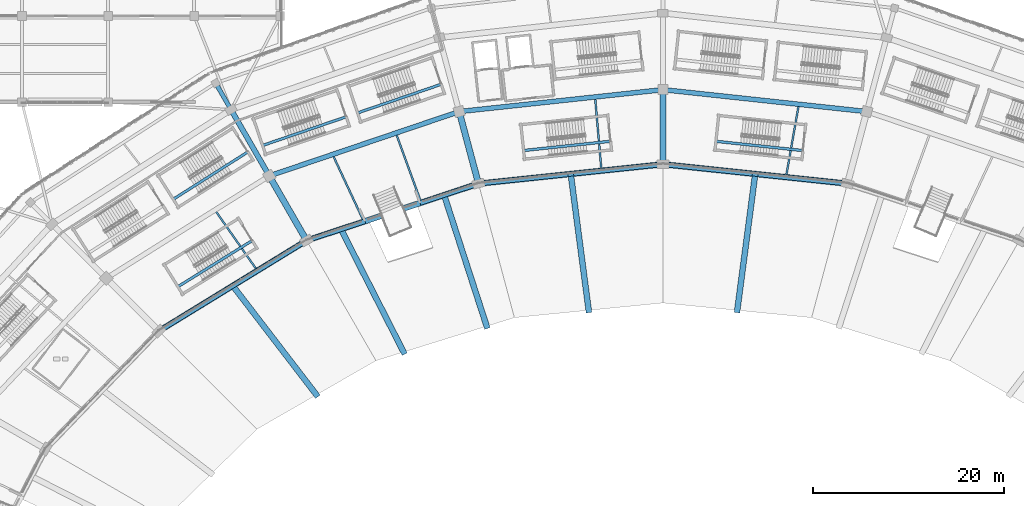
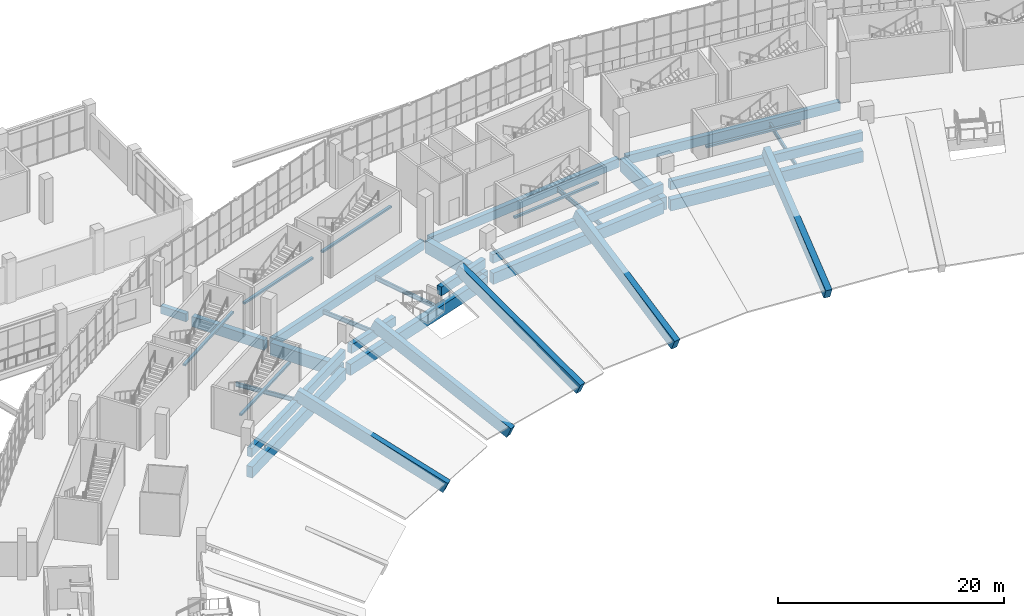
# One storey, part 54 of 183: 33 beams.
"""IFC4 building model written with IfcOpenShell, lengths in metres."""

from ifc_helpers import new_model, si_unit, direction, frame, origin, origin_2d, place, context, subcontext, project, spatial, rectangle, i_section, extrude, material, material_profile, profile_set, type_object, element, save


model = new_model("IFC4")

# Units and contexts
model_context = context("Model", 3, precision=1e-05, world=origin(), true_north=direction((0.0, 1.0)))
body_context = subcontext(model_context, "Body", "Model", "MODEL_VIEW")
ifc_project = project(units=[si_unit("LENGTHUNIT", "METRE"), si_unit("AREAUNIT", "SQUARE_METRE"), si_unit("VOLUMEUNIT", "CUBIC_METRE"), si_unit("PLANEANGLEUNIT", "RADIAN"), si_unit("MASSUNIT", "GRAM", prefix="KILO")], contexts=[model_context])

# Site, building, storey
site_placement = place(None, origin())
site = spatial("IfcSite", under=ifc_project, at=site_placement, CompositionType="ELEMENT")
building_placement = place(site_placement, origin())
building = spatial("IfcBuilding", under=site, at=building_placement, Name="Zevraka Park Crest Stadium", CompositionType="ELEMENT")
storey_placement = place(building_placement, frame((0.0, 0.0, 5.39990234375)))
storey = spatial("IfcBuildingStorey", under=building, at=storey_placement, Name="L01", CompositionType="ELEMENT", Elevation=5.39990234375)

# Beams
ifc_material_1 = material(Name="Concrete C40/50", Category="concrete")
ifc_material_profile_1 = material_profile(ifc_material_1, rectangle(XDim=0.64990234375, YDim=1.35009765625, at=origin_2d()), Name="RC 1350x650")
ifc_profile_set_1 = profile_set([ifc_material_profile_1], Name="Concrete C40/50")
beam_type_1 = type_object("IfcBeamType", Name="BG01", PredefinedType="BEAM", material=ifc_profile_set_1)
beam_1_placement = place(storey_placement, frame((112.0, 151.800048828125, -0.684814453125), z_axis=(0.0, 1.0, 0.0), x_axis=(-1.0, 0.0, 0.0)))
element("IfcBeam", 1, at=beam_1_placement, inside=storey, type_object=beam_type_1, Name="Radial Girder BG01 L01-BC-06", PredefinedType="BEAM", context=body_context, shape_type="SweptSolid", body=[
    extrude(rectangle(XDim=0.64990234375, YDim=1.35009765625, at=origin_2d()), origin(), (0.0, 0.0, 1.0), 7.199951171875),
])
beam_2_placement = place(storey_placement, frame((92.639892578125, 149.762939453125, -0.684814453125), z_axis=(-0.258747385792, 0.965945024495, 0.0), x_axis=(-0.965945024495, -0.258747385792, 0.0)))
element("IfcBeam", 2, at=beam_2_placement, inside=storey, type_object=beam_type_1, Name="Radial Girder BG01 L01-BC-07", PredefinedType="BEAM", context=body_context, shape_type="SweptSolid", body=[
    extrude(rectangle(XDim=0.64990234375, YDim=1.35009765625, at=origin_2d()), origin(), (0.0, 0.0, 1.0), 7.19921875),
])
beam_3_placement = place(storey_placement, frame((74.60009765625, 143.7890625, -0.684814453125), z_axis=(-0.500041424909, 0.866001485781, 0.0), x_axis=(-0.866001485781, -0.500041424909, 0.0)))
element("IfcBeam", 3, at=beam_3_placement, inside=storey, type_object=beam_type_1, Name="Radial Girder BG01 L01-BC-08", PredefinedType="BEAM", context=body_context, shape_type="SweptSolid", body=[
    extrude(rectangle(XDim=0.64990234375, YDim=1.35009765625, at=origin_2d()), origin(), (0.0, 0.0, 1.0), 7.19970703125),
])
ifc_material_2 = material(Name="Concrete C40/50", Category="concrete")
ifc_material_profile_2 = material_profile(ifc_material_2, rectangle(XDim=0.550048828125, YDim=1.10009765625, at=origin_2d()), Name="RC 1100x550")
ifc_profile_set_2 = profile_set([ifc_material_profile_2], Name="Concrete C40/50")
beam_type_2 = type_object("IfcBeamType", Name="BG02", PredefinedType="BEAM", material=ifc_profile_set_2)
beam_4_placement = place(storey_placement, frame((70.699951171875, 150.5439453125, -0.559814453125), z_axis=(-0.500031859608, 0.86600700885, 0.0), x_axis=(-0.86600700885, -0.500031859608, 0.0)))
element("IfcBeam", 4, at=beam_4_placement, inside=storey, type_object=beam_type_2, Name="Radial Girder BG02 L01-CD-08", PredefinedType="BEAM", context=body_context, shape_type="SweptSolid", body=[
    extrude(rectangle(XDim=0.550048828125, YDim=1.10009765625, at=origin_2d()), origin(), (0.0, 0.0, 1.0), 7.3994140625),
])
ifc_material_3 = material(Name="Concrete C40/50", Category="concrete")
ifc_material_profile_3 = material_profile(ifc_material_3, rectangle(XDim=0.449951171875, YDim=0.85009765625, at=origin_2d()), Name="RC 850x450")
ifc_profile_set_3 = profile_set([ifc_material_profile_3], Name="Concrete C40/50")
beam_type_3 = type_object("IfcBeamType", Name="BG03", PredefinedType="BEAM", material=ifc_profile_set_3)
beam_5_placement = place(storey_placement, frame((66.699951171875, 157.471923828125, -0.434814453125), z_axis=(-0.500128937424, 0.865950948929, 0.0), x_axis=(-0.865950948929, -0.500128937424, 0.0)))
element("IfcBeam", 5, at=beam_5_placement, inside=storey, type_object=beam_type_3, Name="Radial Girder BG03 L01-DE-08", PredefinedType="BEAM", context=body_context, shape_type="SweptSolid", body=[
    extrude(rectangle(XDim=0.449951171875, YDim=0.85009765625, at=origin_2d()), origin(), (0.0, 0.0, 1.0), 2.599365234375),
])
ifc_material_4 = material(Name="Concrete C40/50", Category="concrete")
ifc_material_profile_4 = material_profile(ifc_material_4, rectangle(XDim=0.60009765625, YDim=1.199951171875, at=origin_2d()), Name="RC 1200x600")
ifc_profile_set_4 = profile_set([ifc_material_profile_4], Name="Concrete C40/50")
beam_type_4 = type_object("IfcBeamType", Name="RB01", PredefinedType="BEAM", material=ifc_profile_set_4)
for number, where, z_axis, x_axis, name in (
    (6, (130.904052734375, 149.512939453125, -0.60986328125), (-0.994522746434, 0.1045203656, 0.0), (-0.1045203656, -0.994522746434, 0.0), "Ring Beam RB01 L01-B-05"),
    (7, (111.6220703125, 151.4599609375, -0.60986328125), (-0.994522746434, -0.1045203656, 0.0), (0.1045203656, -0.994522746434, 0.0), "Ring Beam RB01 L01-B-06"),
):
    element("IfcBeam", number, at=place(storey_placement, frame(where, z_axis=z_axis, x_axis=x_axis)), inside=storey, type_object=beam_type_4, Name=name, PredefinedType="BEAM", context=body_context, shape_type="SweptSolid", body=[
        extrude(rectangle(XDim=0.60009765625, YDim=1.199951171875, at=origin_2d()), origin(), (0.0, 0.0, 1.0), 18.628173828125),
    ])
beam_6_placement = place(storey_placement, frame((92.35693359375, 149.35400390625, -0.60986328125), z_axis=(-0.949383863235, -0.314118258349, 0.0), x_axis=(0.314118258349, -0.949383863235, 0.0)))
element("IfcBeam", 8, at=beam_6_placement, inside=storey, type_object=beam_type_4, Name="Ring Beam RB01 L01-B-07", PredefinedType="BEAM", context=body_context, shape_type="SweptSolid", body=[
    extrude(rectangle(XDim=0.60009765625, YDim=1.199951171875, at=origin_2d()), origin(), (0.0, 0.0, 1.0), 18.165283203125),
])
beam_7_placement = place(storey_placement, frame((74.426025390625, 143.330078125, -0.60986328125), z_axis=(-0.852632623571, -0.522510869956, 0.0), x_axis=(0.522510869956, -0.852632623571, 0.0)))
element("IfcBeam", 9, at=beam_7_placement, inside=storey, type_object=beam_type_4, Name="Ring Beam RB01 L01-B-08", PredefinedType="BEAM", context=body_context, shape_type="SweptSolid", body=[
    extrude(rectangle(XDim=0.60009765625, YDim=1.199951171875, at=origin_2d()), origin(), (0.0, 0.0, 1.0), 17.335693359375),
])
ifc_material_5 = material(Name="Concrete C40/50", Category="concrete")
ifc_material_profile_5 = material_profile(ifc_material_5, rectangle(XDim=0.5, YDim=0.949951171875, at=origin_2d()), Name="RC 950x500")
ifc_profile_set_5 = profile_set([ifc_material_profile_5], Name="Concrete C40/50")
beam_type_5 = type_object("IfcBeamType", Name="RB02", PredefinedType="BEAM", material=ifc_profile_set_5)
for number, where, z_axis, x_axis, name in (
    (10, (132.923095703125, 157.048095703125, -0.48486328125), (-0.994259477334, 0.106995755668, 0.0), (-0.106995755668, -0.994259477334, 0.0), "Ring Beam RB02 L01-C-05"),
    (11, (111.6220703125, 159.259033203125, -0.48486328125), (-0.994259477334, -0.106995755668, 0.0), (0.106995755668, -0.994259477334, 0.0), "Ring Beam RB02 L01-C-06"),
):
    element("IfcBeam", number, at=place(storey_placement, frame(where, z_axis=z_axis, x_axis=x_axis)), inside=storey, type_object=beam_type_5, Name=name, PredefinedType="BEAM", context=body_context, shape_type="SweptSolid", body=[
        extrude(rectangle(XDim=0.5, YDim=0.949951171875, at=origin_2d()), origin(), (0.0, 0.0, 1.0), 20.663818359375),
    ])
beam_8_placement = place(storey_placement, frame((90.339111328125, 156.885009765625, -0.48486328125), z_axis=(-0.947147952377, -0.320797064058, 0.0), x_axis=(0.320797064058, -0.947147952377, 0.0)))
element("IfcBeam", 12, at=beam_8_placement, inside=storey, type_object=beam_type_5, Name="Ring Beam RB02 L01-C-07", PredefinedType="BEAM", context=body_context, shape_type="SweptSolid", body=[
    extrude(rectangle(XDim=0.5, YDim=0.949951171875, at=origin_2d()), origin(), (0.0, 0.0, 1.0), 20.196533203125),
])
for number, where, z_axis, x_axis, name in (
    (13, (130.904052734375, 149.512939453125, 1.505126953125), (-0.994522746434, 0.1045203656, 0.0), (-0.1045203656, -0.994522746434, 0.0), "Lower Tier Head Raker Ring Beam RB02 05"),
    (14, (111.6220703125, 151.4599609375, 1.505126953125), (-0.994522746434, -0.1045203656, 0.0), (0.1045203656, -0.994522746434, 0.0), "Lower Tier Head Raker Ring Beam RB02 06"),
):
    element("IfcBeam", number, at=place(storey_placement, frame(where, z_axis=z_axis, x_axis=x_axis)), inside=storey, type_object=beam_type_5, Name=name, PredefinedType="BEAM", context=body_context, shape_type="SweptSolid", body=[
        extrude(rectangle(XDim=0.5, YDim=0.949951171875, at=origin_2d()), origin(), (0.0, 0.0, 1.0), 18.628173828125),
    ])
for number, where, z_axis, x_axis, name in (
    (15, (92.178955078125, 149.294921875, 1.505126953125), (-0.949380063139, -0.314129743442, 0.0), (0.314129743442, -0.949380063139, 0.0), "Lower Tier Head Raker Ring Beam RB02 07-1"),
    (16, (80.85888671875, 145.550048828125, 1.505126953125), (-0.949375956717, -0.31414215382, 0.0), (0.31414215382, -0.949375956717, 0.0), "Lower Tier Head Raker Ring Beam RB02 07-2"),
):
    element("IfcBeam", number, at=place(storey_placement, frame(where, z_axis=z_axis, x_axis=x_axis)), inside=storey, type_object=beam_type_5, Name=name, PredefinedType="BEAM", context=body_context, shape_type="SweptSolid", body=[
        extrude(rectangle(XDim=0.5, YDim=0.949951171875, at=origin_2d()), origin(), (0.0, 0.0, 1.0), 5.866943359375),
    ])
beam_9_placement = place(storey_placement, frame((74.426025390625, 143.330078125, 1.505126953125), z_axis=(-0.852632623571, -0.522510869956, 0.0), x_axis=(0.522510869956, -0.852632623571, 0.0)))
element("IfcBeam", 17, at=beam_9_placement, inside=storey, type_object=beam_type_5, Name="Lower Tier Head Raker Ring Beam RB02 08", PredefinedType="BEAM", context=body_context, shape_type="SweptSolid", body=[
    extrude(rectangle(XDim=0.5, YDim=0.949951171875, at=origin_2d()), origin(), (0.0, 0.0, 1.0), 17.335693359375),
])
ifc_material_6 = material(Name="Concrete C40/50", Category="concrete")
ifc_material_profile_6 = material_profile(ifc_material_6, rectangle(XDim=0.60009765625, YDim=1.199951171875, at=origin_2d()), Name="RC 1200x600")
ifc_profile_set_6 = profile_set([ifc_material_profile_6], Name="Concrete C40/50")
beam_type_6 = type_object("IfcBeamType", Name="RK01", PredefinedType="BEAM", material=ifc_profile_set_6)
for number, where, z_axis, x_axis, name in (
    (18, (119.763916015625, 136.23388671875, -3.64990234375), (0.11993845538, 0.91060569771, 0.395489608232), (-0.991437118626, 0.130584990752, 0.0), "Lower Bowl Raker Girder RK01 05"),
    (19, (104.236083984375, 136.23388671875, -3.64990234375), (-0.11993845538, 0.91060569771, 0.395489608232), (-0.991437118626, -0.130584990752, 0.0), "Lower Bowl Raker Girder RK01 06"),
):
    element("IfcBeam", number, at=place(storey_placement, frame(where, z_axis=z_axis, x_axis=x_axis)), inside=storey, type_object=beam_type_6, Name=name, PredefinedType="BEAM", context=body_context, shape_type="SweptSolid", body=[
        extrude(rectangle(XDim=0.60009765625, YDim=1.199951171875, at=origin_2d()), origin(), (0.0, 0.0, 1.0), 15.6513671875),
    ])
beam_10_placement = place(storey_placement, frame((93.576904296875, 134.568115234375, -3.64990234375), z_axis=(-0.283751225252, 0.874014136446, 0.394442050827), x_axis=(-0.95113106587, -0.308787460135, 0.0)))
element("IfcBeam", 20, at=beam_10_placement, inside=storey, type_object=beam_type_6, Name="Lower Bowl Raker Girder RK01 07-1", PredefinedType="BEAM", context=body_context, shape_type="SweptSolid", body=[
    extrude(rectangle(XDim=0.60009765625, YDim=1.199951171875, at=origin_2d()), origin(), (0.0, 0.0, 1.0), 15.69287109375),
])
beam_11_placement = place(storey_placement, frame((84.89404296875, 131.8701171875, -3.64990234375), z_axis=(-0.417372414176, 0.818674691416, 0.39442618767), x_axis=(-0.890902251641, -0.454195088063, 0.0)))
element("IfcBeam", 21, at=beam_11_placement, inside=storey, type_object=beam_type_6, Name="Lower Bowl Raker Girder RK01 07-2", PredefinedType="BEAM", context=body_context, shape_type="SweptSolid", body=[
    extrude(rectangle(XDim=0.60009765625, YDim=1.199951171875, at=origin_2d()), origin(), (0.0, 0.0, 1.0), 15.693603515625),
])
beam_12_placement = place(storey_placement, frame((75.787109375, 127.39599609375, -3.64990234375), z_axis=(-0.55912472884, 0.728679361355, 0.39548189078), x_axis=(-0.793358919709, -0.608754157701, 0.0)))
element("IfcBeam", 22, at=beam_12_placement, inside=storey, type_object=beam_type_6, Name="Lower Bowl Raker Girder RK01 08", PredefinedType="BEAM", context=body_context, shape_type="SweptSolid", body=[
    extrude(rectangle(XDim=0.60009765625, YDim=1.199951171875, at=origin_2d()), origin(), (0.0, 0.0, 1.0), 15.651611328125),
])
ifc_material_7 = material(Name="Steel S355", Category="steel")
ifc_material_profile_7 = material_profile(ifc_material_7, i_section(OverallWidth=0.18994140625, OverallDepth=0.449951171875, WebThickness=0.009521484375, FlangeThickness=0.0146484375, at=origin_2d()), Name="IPE 450")
ifc_profile_set_7 = profile_set([ifc_material_profile_7], Name="Steel S355")
beam_type_7 = type_object("IfcBeamType", Name="SJ03", PredefinedType="JOIST", material=ifc_profile_set_7)
beam_13_placement = place(storey_placement, frame((124.908935546875, 150.458984375, -0.532958984375), z_axis=(0.173946320312, 0.984755135884, 0.0), x_axis=(-0.984755135884, 0.173946320312, 0.0)))
element("IfcBeam", 23, at=beam_13_placement, inside=storey, type_object=beam_type_7, Name="Floor Joist SJ03 L01-BC-05-1", PredefinedType="JOIST", context=body_context, shape_type="SweptSolid", body=[
    extrude(i_section(OverallWidth=0.18994140625, OverallDepth=0.449951171875, WebThickness=0.009521484375, FlangeThickness=0.0146484375, at=origin_2d()), origin(), (0.0, 0.0, 1.0), 7.180419921875),
])
beam_14_placement = place(storey_placement, frame((105.544921875, 151.137939453125, -0.532958984375), z_axis=(-0.086896614952, 0.996217334877, 0.0), x_axis=(-0.996217334877, -0.086896614952, 0.0)))
element("IfcBeam", 24, at=beam_14_placement, inside=storey, type_object=beam_type_7, Name="Floor Joist SJ03 L01-BC-06-1", PredefinedType="JOIST", context=body_context, shape_type="SweptSolid", body=[
    extrude(i_section(OverallWidth=0.18994140625, OverallDepth=0.449951171875, WebThickness=0.009521484375, FlangeThickness=0.0146484375, at=origin_2d()), origin(), (0.0, 0.0, 1.0), 7.18115234375),
])
beam_15_placement = place(storey_placement, frame((86.62109375, 147.7880859375, -0.532958984375), z_axis=(-0.341906854884, 0.939733846673, 0.0), x_axis=(-0.939733846673, -0.341906854884, 0.0)))
element("IfcBeam", 25, at=beam_15_placement, inside=storey, type_object=beam_type_7, Name="Floor Joist SJ03 L01-BC-07-1", PredefinedType="JOIST", context=body_context, shape_type="SweptSolid", body=[
    extrude(i_section(OverallWidth=0.18994140625, OverallDepth=0.449951171875, WebThickness=0.009521484375, FlangeThickness=0.0146484375, at=origin_2d()), origin(), (0.0, 0.0, 1.0), 7.1806640625),
])
for number, where, z_axis, x_axis, name in (
    (26, (80.60595703125, 145.7958984375, -0.532958984375), (-0.422799841013, 0.906223093085, 0.0), (-0.906223093085, -0.422799841013, 0.0), "Floor Joist SJ03 L01-BC-07-2"),
    (27, (69.426025390625, 140.635009765625, -0.532958984375), (-0.573350525279, 0.819310182509, 0.0), (-0.819310182509, -0.573350525279, 0.0), "Floor Joist SJ03 L01-BC-08-1"),
):
    element("IfcBeam", number, at=place(storey_placement, frame(where, z_axis=z_axis, x_axis=x_axis)), inside=storey, type_object=beam_type_7, Name=name, PredefinedType="JOIST", context=body_context, shape_type="SweptSolid", body=[
        extrude(i_section(OverallWidth=0.18994140625, OverallDepth=0.449951171875, WebThickness=0.009521484375, FlangeThickness=0.0146484375, at=origin_2d()), origin(), (0.0, 0.0, 1.0), 7.180419921875),
    ])
ifc_material_8 = material(Name="Concrete C40/50", Category="concrete")
ifc_material_profile_8 = material_profile(ifc_material_8, rectangle(XDim=0.280029296875, YDim=0.199951171875, at=origin_2d()), Name="RC 200x280")
ifc_profile_set_8 = profile_set([ifc_material_profile_8], Name="Concrete C40/50")
beam_type_8 = type_object("IfcBeamType", Name="SJ13", PredefinedType="JOIST", material=ifc_profile_set_8)
beam_16_placement = place(storey_placement, frame((88.80322265625, 159.855712890625, 2.300048828125), z_axis=(-0.946065027556, -0.323976794902, 0.0), x_axis=(0.323976794902, -0.946065027556, 0.0)))
element("IfcBeam", 28, at=beam_16_placement, inside=storey, type_object=beam_type_8, Name="Stair Upper-Flight Longitudinal Stringer SJ13 ST08-L01", PredefinedType="JOIST", context=body_context, shape_type="SweptSolid", body=[
    extrude(rectangle(XDim=0.280029296875, YDim=0.199951171875, at=origin_2d()), origin(), (0.0, 0.0, 1.0), 9.250244140625),
])
beam_17_placement = place(storey_placement, frame((68.595703125, 152.780517578125, 2.300048828125), z_axis=(-0.844404041367, -0.535706836734, 0.0), x_axis=(0.535706836734, -0.844404041367, 0.0)))
element("IfcBeam", 29, at=beam_17_placement, inside=storey, type_object=beam_type_8, Name="Stair Upper-Flight Longitudinal Stringer SJ13 ST09-L01", PredefinedType="JOIST", context=body_context, shape_type="SweptSolid", body=[
    extrude(rectangle(XDim=0.280029296875, YDim=0.199951171875, at=origin_2d()), origin(), (0.0, 0.0, 1.0), 9.25),
])
beam_18_placement = place(storey_placement, frame((78.869140625, 156.45458984375, 2.300048828125), z_axis=(-0.946070346954, -0.323961260978, 0.0), x_axis=(0.323961260978, -0.946070346954, 0.0)))
element("IfcBeam", 30, at=beam_18_placement, inside=storey, type_object=beam_type_8, Name="Stair Upper-Flight Longitudinal Stringer SJ13 ST27-L01", PredefinedType="JOIST", context=body_context, shape_type="SweptSolid", body=[
    extrude(rectangle(XDim=0.280029296875, YDim=0.199951171875, at=origin_2d()), origin(), (0.0, 0.0, 1.0), 9.249755859375),
])
beam_19_placement = place(storey_placement, frame((126.599609375, 152.936279296875, 2.300048828125), z_axis=(-0.994382402051, 0.105847241304, 0.0), x_axis=(-0.105847241304, -0.994382402051, 0.0)))
element("IfcBeam", 31, at=beam_19_placement, inside=storey, type_object=beam_type_8, Name="Stair Upper-Flight Longitudinal Stringer SJ13 ST35-L01", PredefinedType="JOIST", context=body_context, shape_type="SweptSolid", body=[
    extrude(rectangle(XDim=0.280029296875, YDim=0.199951171875, at=origin_2d()), origin(), (0.0, 0.0, 1.0), 9.150146484375),
])
for number, where, z_axis, x_axis, name in (
    (32, (106.499267578125, 153.904296875, 2.300048828125), (-0.994382103104, -0.105850049723, 0.0), (0.105850049723, -0.994382103104, 0.0), "Stair Upper-Flight Longitudinal Stringer SJ13 ST36-L01"),
    (33, (69.04638671875, 143.5126953125, 2.300048828125), (-0.849698289546, -0.527269207088, 0.0), (0.527269207088, -0.849698289546, 0.0), "Stair Upper-Flight Longitudinal Stringer SJ13 ST37-L01"),
):
    element("IfcBeam", number, at=place(storey_placement, frame(where, z_axis=z_axis, x_axis=x_axis)), inside=storey, type_object=beam_type_8, Name=name, PredefinedType="JOIST", context=body_context, shape_type="SweptSolid", body=[
        extrude(rectangle(XDim=0.280029296875, YDim=0.199951171875, at=origin_2d()), origin(), (0.0, 0.0, 1.0), 9.14990234375),
    ])

save(model, "model.ifc")
